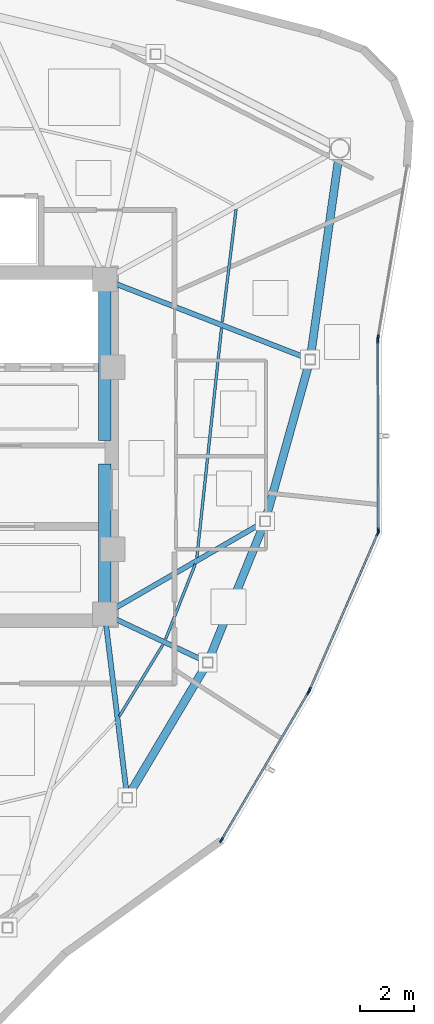
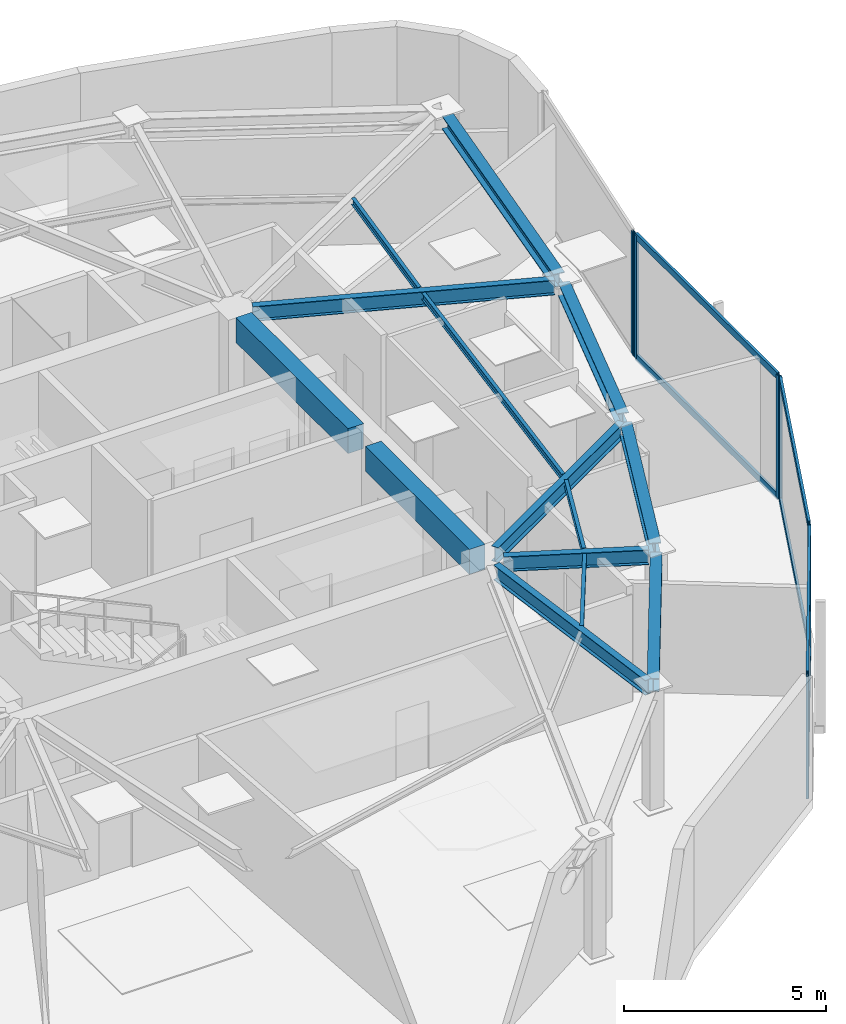
# One storey, part 4 of 11: 14 beams, 13 members, 4 elements without a shape of their own.
"""IFC4 building model written with IfcOpenShell, lengths in metres."""

import ifcopenshell
import ifcopenshell.guid

model = None  # the IFC model being written
_history = None  # IfcOwnerHistory: only IFC2X3 demands one
_inside = {}  # id of a spatial element -> (the spatial element, [elements in it])
_under = {}  # id of a project, library or spatial element -> (it, [spatial elements below it])
_declared = {}  # id of a project -> (the project, [libraries it declares])
_typed = {}  # id of a type object -> (the type object, [elements of that type])
_made_of = {}  # id of a material, layer set ... -> (it, [elements and type objects made of it])


def new_model(schema):
    """Start an empty IFC model of exactly this schema.

    Asked for "IFC4X3", IfcOpenShell would pick the latest addendum, in which some entities
    have other attributes; the version numbers below select the first issue.
    IFC2X3 requires an IfcOwnerHistory on every rooted entity: one is made here for all.
    """
    global model, _history
    if schema == "IFC4X3":
        model = ifcopenshell.file(schema_version=(4, 3, 0, 0))
    else:
        model = ifcopenshell.file(schema=schema)
    _inside.clear()
    _under.clear()
    _declared.clear()
    _typed.clear()
    _made_of.clear()
    _history = None
    if model.schema == "IFC2X3":
        org = make("IfcOrganization", Name="unknown")
        user = make(
            "IfcPersonAndOrganization",
            ThePerson=make("IfcPerson", FamilyName="unknown"),
            TheOrganization=org,
        )
        app = make(
            "IfcApplication",
            ApplicationDeveloper=org,
            Version="unknown",
            ApplicationFullName="unknown",
            ApplicationIdentifier="unknown",
        )
        _history = make(
            "IfcOwnerHistory",
            OwningUser=user,
            OwningApplication=app,
            ChangeAction="ADDED",
            CreationDate=0,
        )
    return model


def make(cls, **values):
    """One entity of the class cls with the attributes given. An attribute that is None is left unset."""
    return model.create_entity(
        cls, **{name: value for name, value in values.items() if value is not None}
    )


def rooted(cls, **values):
    """An entity with a GlobalId (a new one), such as an element, a storey or a relation."""
    return make(cls, GlobalId=ifcopenshell.guid.new(), OwnerHistory=_history, **values)


def si_unit(unit_type, name, prefix=None):
    """IfcSIUnit, for example si_unit("LENGTHUNIT", "METRE", prefix="MILLI")."""
    return make("IfcSIUnit", UnitType=unit_type, Prefix=prefix, Name=name)


def assignment(units):
    """IfcUnitAssignment: the units of a project."""
    return None if units is None else make("IfcUnitAssignment", Units=units)


def point(xyz):
    """IfcCartesianPoint."""
    return None if xyz is None else make("IfcCartesianPoint", Coordinates=xyz)


def direction(xyz):
    """IfcDirection."""
    return None if xyz is None else make("IfcDirection", DirectionRatios=xyz)


def frame(location, z_axis=None, x_axis=None):
    """IfcAxis2Placement3D, a coordinate frame: its origin and axes. An axis left out is left unset."""
    return make(
        "IfcAxis2Placement3D",
        Location=point(location),
        Axis=direction(z_axis),
        RefDirection=direction(x_axis),
    )


def frame_2d(location, x_axis=None):
    """IfcAxis2Placement2D, a coordinate frame in the plane: its origin and x axis."""
    return make(
        "IfcAxis2Placement2D", Location=point(location), RefDirection=direction(x_axis)
    )


def origin():
    """The frame at (0, 0, 0) with its axes left unset."""
    return frame((0.0, 0.0, 0.0))


def origin_2d():
    """The frame at (0, 0) in the plane with its x axis left unset."""
    return frame_2d((0.0, 0.0))


def place(relative_to, where):
    """IfcLocalPlacement: puts the frame where relative to a parent placement (None: the world)."""
    return make(
        "IfcLocalPlacement", PlacementRelTo=relative_to, RelativePlacement=where
    )


def context(
    kind, dimensions, precision=None, world=None, true_north=None, identifier=None
):
    """IfcGeometricRepresentationContext, for example the 3D "Model" context."""
    return make(
        "IfcGeometricRepresentationContext",
        ContextIdentifier=identifier,
        ContextType=kind,
        CoordinateSpaceDimension=dimensions,
        Precision=precision,
        WorldCoordinateSystem=world,
        TrueNorth=true_north,
    )


def subcontext(parent, identifier, kind, view, scale=None):
    """IfcGeometricRepresentationSubContext, for example "Body" below "Model"."""
    return make(
        "IfcGeometricRepresentationSubContext",
        ContextIdentifier=identifier,
        ContextType=kind,
        ParentContext=parent,
        TargetScale=scale,
        TargetView=view,
    )


def project(units=None, contexts=None):
    """IfcProject with its units and contexts."""
    return rooted(
        "IfcProject",
        Name="project",
        RepresentationContexts=contexts,
        UnitsInContext=assignment(units),
    )


def spatial(cls, under=None, at=None, **own):
    """A site, building, storey or space (cls), placed at a placement, below another one or the project."""
    s = rooted(cls, ObjectPlacement=at, **own)
    if under is not None:
        _under.setdefault(under.id(), (under, []))[1].append(s)
    return s


def profile(cls, at=None, kind="AREA", **sizes):
    """A parametric profile (cls). Its sizes go by their IFC names, for example OverallWidth=200.0."""
    return make(cls, ProfileType=kind, Position=at, **sizes)


def rectangle(**sizes):
    """IfcRectangleProfileDef."""
    return profile("IfcRectangleProfileDef", **sizes)


def hollow_rectangle(**sizes):
    """IfcRectangleHollowProfileDef."""
    return profile("IfcRectangleHollowProfileDef", **sizes)


def i_section(**sizes):
    """IfcIShapeProfileDef."""
    return profile("IfcIShapeProfileDef", **sizes)


def extrude(swept, where, along, depth):
    """IfcExtrudedAreaSolid: the profile swept, set in the frame where, extruded along a direction by depth."""
    return make(
        "IfcExtrudedAreaSolid",
        SweptArea=swept,
        Position=where,
        ExtrudedDirection=direction(along),
        Depth=depth,
    )


def shape(context_of_items, identifier, shape_type, items):
    """IfcShapeRepresentation: the items that make up one representation, for example the "Body"."""
    return make(
        "IfcShapeRepresentation",
        ContextOfItems=context_of_items,
        RepresentationIdentifier=identifier,
        RepresentationType=shape_type,
        Items=items,
    )


def source(mapping_origin, context_of_items, identifier, shape_type, items):
    """IfcRepresentationMap: a shape defined once, which mapped items show again and again."""
    return make(
        "IfcRepresentationMap",
        MappingOrigin=mapping_origin,
        MappedRepresentation=shape(context_of_items, identifier, shape_type, items),
    )


def transform(
    local_origin,
    x_axis=None,
    y_axis=None,
    z_axis=None,
    scale=None,
    scale2=None,
    scale3=None,
    uniform=True,
):
    """IfcCartesianTransformationOperator3D, or its non-uniform kind. x_axis, y_axis, z_axis: its Axis1, 2, 3."""
    if uniform:
        return make(
            "IfcCartesianTransformationOperator3D",
            Axis1=direction(x_axis),
            Axis2=direction(y_axis),
            LocalOrigin=point(local_origin),
            Scale=scale,
            Axis3=direction(z_axis),
        )
    return make(
        "IfcCartesianTransformationOperator3DnonUniform",
        Axis1=direction(x_axis),
        Axis2=direction(y_axis),
        LocalOrigin=point(local_origin),
        Scale=scale,
        Axis3=direction(z_axis),
        Scale2=scale2,
        Scale3=scale3,
    )


def mapped(mapping_source, mapping_target):
    """IfcMappedItem: shows the shape of a source again, moved by a transform."""
    return make(
        "IfcMappedItem", MappingSource=mapping_source, MappingTarget=mapping_target
    )


def material(Name=None, Category=None):
    """IfcMaterial."""
    return make("IfcMaterial", Name=Name, Category=Category)


def layer(
    of_material, thickness, ventilated=None, Name=None, Category=None, Priority=None
):
    """IfcMaterialLayer: one layer of a wall or slab, of a material (None: an air gap)."""
    return make(
        "IfcMaterialLayer",
        Material=of_material,
        LayerThickness=thickness,
        IsVentilated=ventilated,
        Name=Name,
        Category=Category,
        Priority=Priority,
    )


def layer_set(layers, Name=None):
    """IfcMaterialLayerSet."""
    return make("IfcMaterialLayerSet", MaterialLayers=layers, LayerSetName=Name)


def material_profile(
    of_material, cross_section, Name=None, Category=None, Priority=None
):
    """IfcMaterialProfile: a cross section and its material."""
    return make(
        "IfcMaterialProfile",
        Name=Name,
        Material=of_material,
        Profile=cross_section,
        Priority=Priority,
        Category=Category,
    )


def profile_set(profiles, Name=None, composite=None):
    """IfcMaterialProfileSet."""
    return make(
        "IfcMaterialProfileSet",
        Name=Name,
        MaterialProfiles=profiles,
        CompositeProfile=composite,
    )


def made_of(thing, what):
    """Note that an element or type object is made of a material, layer set ...; save() writes the relation."""
    if what is not None:
        _made_of.setdefault(what.id(), (what, []))[1].append(thing)
    return thing


def type_object(cls, material=None, **own):
    """A type object (cls), such as IfcWallType, which elements share."""
    return made_of(rooted(cls, **own), material)


def type_shapes(of_type, sources):
    """Give a type object the sources (RepresentationMaps) that its elements show as mapped items."""
    of_type.RepresentationMaps = sources


def element(
    cls,
    number,
    at=None,
    inside=None,
    cuts=None,
    type_object=None,
    material=None,
    context=None,
    identifier="Body",
    shape_type=None,
    held_by="IfcProductDefinitionShape",
    body=None,
    shapes=None,
    **own,
):
    """One element of the class cls, such as IfcWall. Its Tag is "e" and its number.

    at: its placement. inside: the storey or other place that contains it. cuts: it is an
    opening in that element (IfcRelVoidsElement). A single representation is given by context,
    identifier, shape_type and body (its items); several are given by shapes. held_by: the class
    of the entity that holds the representations. save() writes the other relations.
    """
    e = rooted(cls, Tag="e%d" % number, ObjectPlacement=at, **own)
    if body is not None:
        shapes = [shape(context, identifier, shape_type, body)]
    if shapes is not None:
        e.Representation = make(held_by, Representations=shapes)
    if inside is not None:
        _inside.setdefault(inside.id(), (inside, []))[1].append(e)
    if cuts is not None:
        rooted(
            "IfcRelVoidsElement", RelatingBuildingElement=cuts, RelatedOpeningElement=e
        )
    if type_object is not None:
        _typed.setdefault(type_object.id(), (type_object, []))[1].append(e)
    return made_of(e, material)


def aggregate(whole, parts):
    """IfcRelAggregates: a whole, such as a stair, and the parts it consists of."""
    return rooted("IfcRelAggregates", RelatingObject=whole, RelatedObjects=parts)


def save(model, path):
    """Write the relations noted so far, then the file.

    IfcRelAggregates (storeys below a building ...), IfcRelContainedInSpatialStructure (elements
    in a storey), IfcRelDefinesByType, IfcRelAssociatesMaterial and IfcRelDeclares: one each for
    every whole, place, type object, material and project.
    """
    for whole, parts in _under.values():
        aggregate(whole, parts)
    for where, things in _inside.values():
        rooted(
            "IfcRelContainedInSpatialStructure",
            RelatedElements=things,
            RelatingStructure=where,
        )
    for kind, things in _typed.values():
        rooted("IfcRelDefinesByType", RelatedObjects=things, RelatingType=kind)
    for what, things in _made_of.values():
        rooted("IfcRelAssociatesMaterial", RelatedObjects=things, RelatingMaterial=what)
    for by, libraries in _declared.values():
        rooted("IfcRelDeclares", RelatingContext=by, RelatedDefinitions=libraries)
    model.write(path)


model = new_model("IFC4")

# Units and contexts
model_context = context("Model", 3, precision=1e-05, world=origin(), true_north=direction((0.0, 1.0)))
body_context = subcontext(model_context, "Body", "Model", "MODEL_VIEW")
ifc_project = project(units=[si_unit("LENGTHUNIT", "METRE"), si_unit("AREAUNIT", "SQUARE_METRE"), si_unit("VOLUMEUNIT", "CUBIC_METRE"), si_unit("PLANEANGLEUNIT", "RADIAN"), si_unit("MASSUNIT", "GRAM", prefix="KILO")], contexts=[model_context])

# Site, building, storey
site_placement = place(None, origin())
site = spatial("IfcSite", under=ifc_project, at=site_placement, CompositionType="ELEMENT")
building_placement = place(site_placement, origin())
building = spatial("IfcBuilding", under=site, at=building_placement, Name="Tavelor Broadcast Tower", CompositionType="ELEMENT")
storey_placement = place(building_placement, frame((0.0, 0.0, 309.5)))
storey = spatial("IfcBuildingStorey", under=building, at=storey_placement, Name="L74", CompositionType="ELEMENT", Elevation=309.5)

# Beams
ifc_material_1 = material(Name="Concrete C40/50", Category="concrete")
ifc_material_profile_1 = material_profile(ifc_material_1, rectangle(XDim=0.449951171875, YDim=0.75, at=origin_2d()), Name="RC 450x750")
ifc_profile_set_1 = profile_set([ifc_material_profile_1], Name="Concrete C40/50")
beam_type_1 = type_object("IfcBeamType", Name="Basement Core Trim Beam 450x750", PredefinedType="BEAM", material=ifc_profile_set_1)
beam_1_placement = place(storey_placement, frame((56.60009765625, 45.23193359375, 3.324951171875), z_axis=(0.0, 1.0, 0.0), x_axis=(-1.0, 0.0, 0.0)))
element("IfcBeam", 1, at=beam_1_placement, inside=storey, type_object=beam_type_1, Name="L74 Core East-N Tie Girder", PredefinedType="BEAM", context=body_context, shape_type="SweptSolid", body=[
    extrude(rectangle(XDim=0.449951171875, YDim=0.75, at=origin_2d()), origin(), (0.0, 0.0, 1.0), 5.5361328125),
])
beam_2_placement = place(storey_placement, frame((56.60009765625, 39.23193359375, 3.324951171875), z_axis=(0.0, 1.0, 0.0), x_axis=(-1.0, 0.0, 0.0)))
element("IfcBeam", 2, at=beam_2_placement, inside=storey, type_object=beam_type_1, Name="L74 Core East-S Tie Girder", PredefinedType="BEAM", context=body_context, shape_type="SweptSolid", body=[
    extrude(rectangle(XDim=0.449951171875, YDim=0.75, at=origin_2d()), origin(), (0.0, 0.0, 1.0), 5.135986328125),
])
ifc_material_2 = material(Name="Steel S355", Category="steel")
ifc_material_profile_2 = material_profile(ifc_material_2, i_section(OverallWidth=0.10009765625, OverallDepth=0.199951171875, WebThickness=0.005615234375, FlangeThickness=0.008544921875, at=origin_2d()), Name="IPE 200")
ifc_profile_set_2 = profile_set([ifc_material_profile_2], Name="Steel S355")
beam_type_2 = type_object("IfcBeamType", Name="Composite Floor Joist T8 IPE 200", PredefinedType="JOIST", material=ifc_profile_set_2)
beam_3_placement = place(storey_placement, frame((57.139892578125, 35.011474609375, 3.60009765625), z_axis=(0.519987009808, 0.854174168206, 0.0), x_axis=(-0.854174168206, 0.519987009808, 0.0)))
element("IfcBeam", 3, at=beam_3_placement, inside=storey, type_object=beam_type_2, Name="L74 Secondary Composite Floor Joist 09", PredefinedType="JOIST", context=body_context, shape_type="SweptSolid", body=[
    extrude(i_section(OverallWidth=0.10009765625, OverallDepth=0.199951171875, WebThickness=0.005615234375, FlangeThickness=0.008544921875, at=origin_2d()), origin(), (0.0, 0.0, 1.0), 3.09326171875),
])
beam_4_placement = place(storey_placement, frame((58.85791015625, 37.87451171875, 3.60009765625), z_axis=(0.367159090803, 0.930158159692, 0.0), x_axis=(-0.930158159692, 0.367159090803, 0.0)))
element("IfcBeam", 4, at=beam_4_placement, inside=storey, type_object=beam_type_2, Name="L74 Secondary Composite Floor Joist 10", PredefinedType="JOIST", context=body_context, shape_type="SweptSolid", body=[
    extrude(i_section(OverallWidth=0.10009765625, OverallDepth=0.199951171875, WebThickness=0.005615234375, FlangeThickness=0.008544921875, at=origin_2d()), origin(), (0.0, 0.0, 1.0), 2.98681640625),
])
beam_5_placement = place(storey_placement, frame((60.01318359375, 40.89111328125, 3.60009765625), z_axis=(0.107016283825, 0.994257268013, 0.0), x_axis=(-0.994257268013, 0.107016283825, 0.0)))
element("IfcBeam", 5, at=beam_5_placement, inside=storey, type_object=beam_type_2, Name="L74 Secondary Composite Floor Joist 11", PredefinedType="JOIST", context=body_context, shape_type="SweptSolid", body=[
    extrude(i_section(OverallWidth=0.10009765625, OverallDepth=0.199951171875, WebThickness=0.005615234375, FlangeThickness=0.008544921875, at=origin_2d()), origin(), (0.0, 0.0, 1.0), 8.5458984375),
])
beam_6_placement = place(storey_placement, frame((60.9560546875, 49.6337890625, 3.60009765625), z_axis=(0.121805765002, 0.992553956021, 0.0), x_axis=(-0.992553956021, 0.121805765002, 0.0)))
element("IfcBeam", 6, at=beam_6_placement, inside=storey, type_object=beam_type_2, Name="L74 Secondary Composite Floor Joist 12", PredefinedType="JOIST", context=body_context, shape_type="SweptSolid", body=[
    extrude(i_section(OverallWidth=0.10009765625, OverallDepth=0.199951171875, WebThickness=0.005615234375, FlangeThickness=0.008544921875, at=origin_2d()), origin(), (0.0, 0.0, 1.0), 4.193115234375),
])
ifc_material_profile_3 = material_profile(ifc_material_2, i_section(OverallWidth=0.300048828125, OverallDepth=0.39990234375, WebThickness=0.013427734375, FlangeThickness=0.02392578125, at=origin_2d()), Name="HEB 400")
ifc_profile_set_3 = profile_set([ifc_material_profile_3], Name="Steel S355")
beam_type_3 = type_object("IfcBeamType", Name="Perimeter Spandrel Beam T8 HEB 400", PredefinedType="SPANDREL", material=ifc_profile_set_3)
beam_7_placement = place(storey_placement, frame((57.52978515625, 32.156982421875, 3.5), z_axis=(0.511792514175, 0.859109086458, 0.0), x_axis=(-0.859109086458, 0.511792514175, 0.0)))
element("IfcBeam", 7, at=beam_7_placement, inside=storey, type_object=beam_type_3, Name="L74 Framed-Tube Ring Spandrel 09", PredefinedType="SPANDREL", context=body_context, shape_type="SweptSolid", body=[
    extrude(i_section(OverallWidth=0.300048828125, OverallDepth=0.39990234375, WebThickness=0.013427734375, FlangeThickness=0.02392578125, at=origin_2d()), origin(), (0.0, 0.0, 1.0), 5.450439453125),
])
beam_8_placement = place(storey_placement, frame((60.48974609375, 37.182373046875, 3.5), z_axis=(0.376276339412, 0.926507483186, 0.0), x_axis=(-0.926507483186, 0.376276339412, 0.0)))
element("IfcBeam", 8, at=beam_8_placement, inside=storey, type_object=beam_type_3, Name="L74 Framed-Tube Ring Spandrel 10", PredefinedType="SPANDREL", context=body_context, shape_type="SweptSolid", body=[
    extrude(i_section(OverallWidth=0.300048828125, OverallDepth=0.39990234375, WebThickness=0.013427734375, FlangeThickness=0.02392578125, at=origin_2d()), origin(), (0.0, 0.0, 1.0), 5.267333984375),
])
beam_9_placement = place(storey_placement, frame((62.59521484375, 42.425537109375, 3.5), z_axis=(0.268372403698, 0.963315240684, 0.0), x_axis=(-0.963315240684, 0.268372403698, 0.0)))
element("IfcBeam", 9, at=beam_9_placement, inside=storey, type_object=beam_type_3, Name="L74 Framed-Tube Ring Spandrel 11", PredefinedType="SPANDREL", context=body_context, shape_type="SweptSolid", body=[
    extrude(i_section(OverallWidth=0.300048828125, OverallDepth=0.39990234375, WebThickness=0.013427734375, FlangeThickness=0.02392578125, at=origin_2d()), origin(), (0.0, 0.0, 1.0), 5.84130859375),
])
beam_10_placement = place(storey_placement, frame((64.2412109375, 48.427490234375, 3.5), z_axis=(0.139963539529, 0.990156658111, 0.0), x_axis=(-0.990156658111, 0.139963539529, 0.0)))
element("IfcBeam", 10, at=beam_10_placement, inside=storey, type_object=beam_type_3, Name="L74 Framed-Tube Ring Spandrel 12", PredefinedType="SPANDREL", context=body_context, shape_type="SweptSolid", body=[
    extrude(i_section(OverallWidth=0.300048828125, OverallDepth=0.39990234375, WebThickness=0.013427734375, FlangeThickness=0.02392578125, at=origin_2d()), origin(), (0.0, 0.0, 1.0), 7.36279296875),
])
ifc_material_profile_4 = material_profile(ifc_material_2, i_section(OverallWidth=0.18994140625, OverallDepth=0.449951171875, WebThickness=0.009521484375, FlangeThickness=0.0146484375, at=origin_2d()), Name="IPE 450")
ifc_profile_set_4 = profile_set([ifc_material_profile_4], Name="Steel S355")
beam_type_4 = type_object("IfcBeamType", Name="Radial Floor Girder T8 IPE 450", PredefinedType="BEAM", material=ifc_profile_set_4)
beam_11_placement = place(storey_placement, frame((56.65234375, 38.37109375, 3.47509765625), z_axis=(0.121238833005, -0.992623365316, 0.0), x_axis=(0.992623365316, 0.121238833005, 0.0)))
element("IfcBeam", 11, at=beam_11_placement, inside=storey, type_object=beam_type_4, Name="L74 Radial Primary Floor Girder 09", PredefinedType="BEAM", context=body_context, shape_type="SweptSolid", body=[
    extrude(i_section(OverallWidth=0.18994140625, OverallDepth=0.449951171875, WebThickness=0.009521484375, FlangeThickness=0.0146484375, at=origin_2d()), origin(), (0.0, 0.0, 1.0), 6.234375),
])
beam_12_placement = place(storey_placement, frame((56.990966796875, 38.6162109375, 3.47509765625), z_axis=(0.904900260626, -0.425623681578, 0.0), x_axis=(0.425623681578, 0.904900260626, 0.0)))
element("IfcBeam", 12, at=beam_12_placement, inside=storey, type_object=beam_type_4, Name="L74 Radial Primary Floor Girder 10", PredefinedType="BEAM", context=body_context, shape_type="SweptSolid", body=[
    extrude(i_section(OverallWidth=0.18994140625, OverallDepth=0.449951171875, WebThickness=0.009521484375, FlangeThickness=0.0146484375, at=origin_2d()), origin(), (0.0, 0.0, 1.0), 3.5947265625),
])
beam_13_placement = place(storey_placement, frame((56.973876953125, 39.016357421875, 3.47509765625), z_axis=(0.865467330789, 0.500965367402, 0.0), x_axis=(-0.500965367402, 0.865467330789, 0.0)))
element("IfcBeam", 13, at=beam_13_placement, inside=storey, type_object=beam_type_4, Name="L74 Radial Primary Floor Girder 11", PredefinedType="BEAM", context=body_context, shape_type="SweptSolid", body=[
    extrude(i_section(OverallWidth=0.18994140625, OverallDepth=0.449951171875, WebThickness=0.009521484375, FlangeThickness=0.0146484375, at=origin_2d()), origin(), (0.0, 0.0, 1.0), 6.243896484375),
])
beam_14_placement = place(storey_placement, frame((57.002685546875, 51.04345703125, 3.47509765625), z_axis=(0.931931795654, -0.362633600552, 0.0), x_axis=(0.362633600552, 0.931931795654, 0.0)))
element("IfcBeam", 14, at=beam_14_placement, inside=storey, type_object=beam_type_4, Name="L74 Radial Primary Floor Girder 12", PredefinedType="BEAM", context=body_context, shape_type="SweptSolid", body=[
    extrude(i_section(OverallWidth=0.18994140625, OverallDepth=0.449951171875, WebThickness=0.009521484375, FlangeThickness=0.0146484375, at=origin_2d()), origin(), (0.0, 0.0, 1.0), 7.54638671875),
])

# Curtain wall, members
ifc_material_3 = material(Name="Architectural Anodized Aluminium", Category="aluminium")
ifc_layer = layer(ifc_material_3, 0.199951171875)
ifc_layer_set = layer_set([ifc_layer], Name="Architectural Anodized Aluminium")
curtain_wall_type = type_object("IfcCurtainWallType", Name="Tower High-Zone Triple-Glazed Curtain Wall CW04", PredefinedType="NOTDEFINED", material=ifc_layer_set)
curtain_wall_1_placement = place(storey_placement, origin())
curtain_wall_1 = element("IfcCurtainWall", 15, at=curtain_wall_1_placement, inside=storey, type_object=curtain_wall_type, Name="L74 Curtain Wall CW04 Run 821", PredefinedType="NOTDEFINED")
ifc_material_profile_5 = material_profile(ifc_material_3, hollow_rectangle(XDim=0.070068359375, YDim=0.199951171875, WallThickness=0.02197265625, at=origin_2d()), Name="RHS 70x200x22")
ifc_profile_set_5 = profile_set([ifc_material_profile_5], Name="Architectural Anodized Aluminium")
member_type_1 = type_object("IfcMemberType", Name="CW04 Extruded Aluminium Mullion 70x200", PredefinedType="MULLION", material=ifc_profile_set_5)
shared_shape_1 = source(origin(), body_context, "Body", "SweptSolid", [
    extrude(hollow_rectangle(XDim=0.070068359375, YDim=0.199951171875, WallThickness=0.02197265625, at=origin_2d()), origin(), (0.0, 0.0, 1.0), 3.699951171875),
])
type_shapes(member_type_1, [shared_shape_1])
member_1_placement = place(storey_placement, frame((60.924560546875, 30.42138671875, 0.0), z_axis=(0.0, 0.0, 1.0), x_axis=(-0.861847812508, 0.507166982439, 0.0)))
member_1 = element("IfcMember", 16, at=member_1_placement, type_object=member_type_1, Name="CW04 mullion 1", PredefinedType="MULLION", context=body_context, shape_type="MappedRepresentation", body=[
    mapped(shared_shape_1, transform((0.0, 0.0, 0.0), scale=1.0)),
])
member_2_placement = place(storey_placement, frame((64.14892578125, 35.900390625, 0.0), z_axis=(0.0, 0.0, 1.0), x_axis=(-0.861847812508, 0.507166982439, 0.0)))
member_2 = element("IfcMember", 17, at=member_2_placement, type_object=member_type_1, Name="CW04 mullion 2", PredefinedType="MULLION", context=body_context, shape_type="MappedRepresentation", body=[
    mapped(shared_shape_1, transform((0.0, 0.0, 0.0), scale=1.0)),
])

curtain_wall_2_placement = place(storey_placement, origin())
curtain_wall_2 = element("IfcCurtainWall", 18, at=curtain_wall_2_placement, inside=storey, type_object=curtain_wall_type, Name="L74 Curtain Wall CW04 Run 822", PredefinedType="NOTDEFINED")
member_3_placement = place(storey_placement, frame((64.1943359375, 35.989501953125, 0.0), z_axis=(0.0, 0.0, 1.0), x_axis=(-0.916887733593, 0.399145191611, 0.0)))
member_3 = element("IfcMember", 19, at=member_3_placement, type_object=member_type_1, Name="CW04 mullion 1", PredefinedType="MULLION", context=body_context, shape_type="MappedRepresentation", body=[
    mapped(shared_shape_1, transform((0.0, 0.0, 0.0), scale=1.0)),
])
member_4_placement = place(storey_placement, frame((66.725830078125, 41.8046875, 0.0), z_axis=(0.0, 0.0, 1.0), x_axis=(-0.916887733593, 0.399145191611, 0.0)))
member_4 = element("IfcMember", 20, at=member_4_placement, type_object=member_type_1, Name="CW04 mullion 2", PredefinedType="MULLION", context=body_context, shape_type="MappedRepresentation", body=[
    mapped(shared_shape_1, transform((0.0, 0.0, 0.0), scale=1.0)),
])

curtain_wall_3_placement = place(storey_placement, origin())
curtain_wall_3 = element("IfcCurtainWall", 21, at=curtain_wall_3_placement, inside=storey, type_object=curtain_wall_type, Name="L74 Curtain Wall CW04 Run 823", PredefinedType="NOTDEFINED")
member_5_placement = place(storey_placement, frame((66.74560546875, 41.900390625, 0.0), z_axis=(0.0, 0.0, 1.0), x_axis=(-0.999995002812, -0.003161384203, 0.0)))
member_5 = element("IfcMember", 22, at=member_5_placement, type_object=member_type_1, Name="CW04 mullion 1", PredefinedType="MULLION", context=body_context, shape_type="MappedRepresentation", body=[
    mapped(shared_shape_1, transform((0.0, 0.0, 0.0), scale=1.0)),
])
member_6_placement = place(storey_placement, frame((66.723388671875, 48.947509765625, 0.0), z_axis=(0.0, 0.0, 1.0), x_axis=(-0.999995002812, -0.003161384203, 0.0)))
member_6 = element("IfcMember", 23, at=member_6_placement, type_object=member_type_1, Name="CW04 mullion 2", PredefinedType="MULLION", context=body_context, shape_type="MappedRepresentation", body=[
    mapped(shared_shape_1, transform((0.0, 0.0, 0.0), scale=1.0)),
])

# Curtain wall, member
curtain_wall_4_placement = place(storey_placement, origin())
curtain_wall_4 = element("IfcCurtainWall", 24, at=curtain_wall_4_placement, inside=storey, type_object=curtain_wall_type, Name="L74 Curtain Wall CW04 Run 824", PredefinedType="NOTDEFINED")
member_7_placement = place(storey_placement, frame((66.731689453125, 49.046875, 0.0), z_axis=(0.0, 0.0, 1.0), x_axis=(-0.985927160576, 0.16717545884, 0.0)))
member_7 = element("IfcMember", 25, at=member_7_placement, type_object=member_type_1, Name="CW04 mullion 1", PredefinedType="MULLION", context=body_context, shape_type="MappedRepresentation", body=[
    mapped(shared_shape_1, transform((0.0, 0.0, 0.0), scale=1.0)),
])
aggregate(curtain_wall_4, [member_7])

# Member
ifc_material_profile_6 = material_profile(ifc_material_3, hollow_rectangle(XDim=0.070068359375, YDim=0.199951171875, WallThickness=0.02197265625, at=origin_2d()), Name="RHS 70x200x22")
ifc_profile_set_6 = profile_set([ifc_material_profile_6], Name="Architectural Anodized Aluminium")
member_type_2 = type_object("IfcMemberType", Name="CW04 Extruded Aluminium Transom 70x200", PredefinedType="USERDEFINED", material=ifc_profile_set_6)
shared_shape_2 = source(origin(), body_context, "Body", "SweptSolid", [
    extrude(hollow_rectangle(XDim=0.070068359375, YDim=0.199951171875, WallThickness=0.02197265625, at=origin_2d()), origin(), (0.0, 0.0, 1.0), 6.2724609375),
])
member_8_placement = place(storey_placement, frame((64.208251953125, 36.021484375, 0.034912109375), z_axis=(0.399145920672, 0.916887416214, 0.0), x_axis=(-0.916887416214, 0.399145920672, 0.0)))
member_8 = element("IfcMember", 26, at=member_8_placement, type_object=member_type_2, Name="CW04 transom 1.1", ObjectType="TRANSOM", PredefinedType="USERDEFINED", context=body_context, shape_type="MappedRepresentation", body=[
    mapped(shared_shape_2, transform((0.0, 0.0, 0.0), scale=1.0)),
])

member_9_placement = place(storey_placement, frame((64.208251953125, 36.021484375, 3.6650390625), z_axis=(0.399145920672, 0.916887416214, 0.0), x_axis=(-0.916887416214, 0.399145920672, 0.0)))
member_9 = element("IfcMember", 27, at=member_9_placement, type_object=member_type_2, Name="CW04 transom 1.2", ObjectType="TRANSOM", PredefinedType="USERDEFINED", context=body_context, shape_type="MappedRepresentation", body=[
    mapped(shared_shape_2, transform((0.0, 0.0, 0.0), scale=1.0)),
])

aggregate(curtain_wall_2, [member_3, member_4, member_8, member_9])

shared_shape_3 = source(origin(), body_context, "Body", "SweptSolid", [
    extrude(hollow_rectangle(XDim=0.070068359375, YDim=0.199951171875, WallThickness=0.02197265625, at=origin_2d()), origin(), (0.0, 0.0, 1.0), 6.97705078125),
])
member_10_placement = place(storey_placement, frame((66.74560546875, 41.935546875, 0.034912109375), z_axis=(-0.00314926005, 0.999995041068, 0.0), x_axis=(-0.999995041068, -0.00314926005, 0.0)))
member_10 = element("IfcMember", 28, at=member_10_placement, type_object=member_type_2, Name="CW04 transom 1.1", ObjectType="TRANSOM", PredefinedType="USERDEFINED", context=body_context, shape_type="MappedRepresentation", body=[
    mapped(shared_shape_3, transform((0.0, 0.0, 0.0), scale=1.0)),
])

member_11_placement = place(storey_placement, frame((66.74560546875, 41.935546875, 3.6650390625), z_axis=(-0.00314926005, 0.999995041068, 0.0), x_axis=(-0.999995041068, -0.00314926005, 0.0)))
member_11 = element("IfcMember", 29, at=member_11_placement, type_object=member_type_2, Name="CW04 transom 1.2", ObjectType="TRANSOM", PredefinedType="USERDEFINED", context=body_context, shape_type="MappedRepresentation", body=[
    mapped(shared_shape_3, transform((0.0, 0.0, 0.0), scale=1.0)),
])

aggregate(curtain_wall_3, [member_5, member_6, member_10, member_11])

shared_shape_4 = source(origin(), body_context, "Body", "SweptSolid", [
    extrude(hollow_rectangle(XDim=0.070068359375, YDim=0.199951171875, WallThickness=0.02197265625, at=origin_2d()), origin(), (0.0, 0.0, 1.0), 6.28759765625),
])
type_shapes(member_type_2, [shared_shape_2, shared_shape_3, shared_shape_4])
member_12_placement = place(storey_placement, frame((60.9423828125, 30.451416015625, 0.034912109375), z_axis=(0.507150783163, 0.861857345004, 0.0), x_axis=(-0.861857345004, 0.507150783163, 0.0)))
member_12 = element("IfcMember", 30, at=member_12_placement, type_object=member_type_2, Name="CW04 transom 1.1", ObjectType="TRANSOM", PredefinedType="USERDEFINED", context=body_context, shape_type="MappedRepresentation", body=[
    mapped(shared_shape_4, transform((0.0, 0.0, 0.0), scale=1.0)),
])

member_13_placement = place(storey_placement, frame((60.9423828125, 30.451416015625, 3.6650390625), z_axis=(0.507150783163, 0.861857345004, 0.0), x_axis=(-0.861857345004, 0.507150783163, 0.0)))
member_13 = element("IfcMember", 31, at=member_13_placement, type_object=member_type_2, Name="CW04 transom 1.2", ObjectType="TRANSOM", PredefinedType="USERDEFINED", context=body_context, shape_type="MappedRepresentation", body=[
    mapped(shared_shape_4, transform((0.0, 0.0, 0.0), scale=1.0)),
])

aggregate(curtain_wall_1, [member_1, member_2, member_12, member_13])

save(model, "model.ifc")
